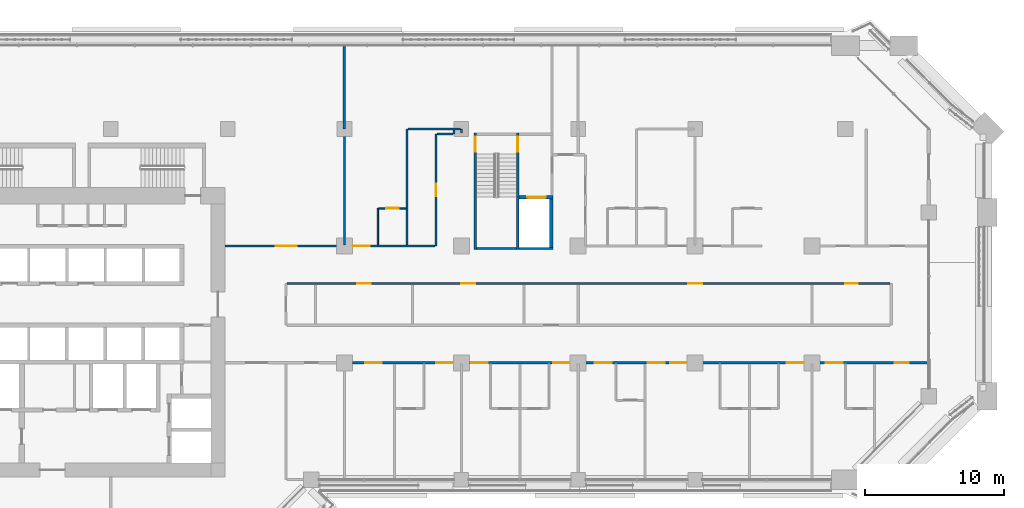
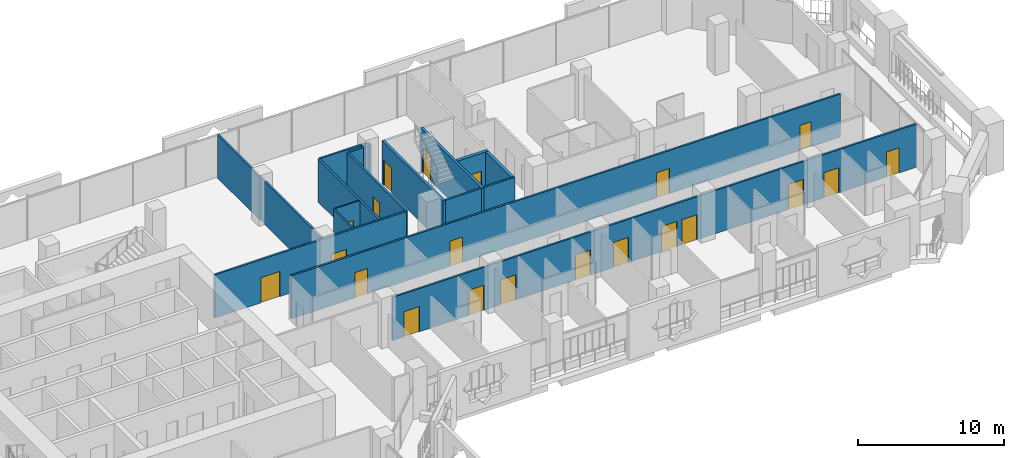
# One storey, part 17 of 27: 21 doors, 19 walls, 21 openings.
"""IFC4 building model written with IfcOpenShell, lengths in metres."""

from ifc_helpers import new_model, si_unit, direction, frame, frame_2d, origin, place, context, subcontext, project, spatial, rectangle, extrude, material, layer, layer_set, type_object, element, fill, save


model = new_model("IFC4")

# Units and contexts
model_context = context("Model", 3, precision=1e-05, world=origin(), true_north=direction((0.0, 1.0)))
body_context = subcontext(model_context, "Body", "Model", "MODEL_VIEW")
ifc_project = project(units=[si_unit("LENGTHUNIT", "METRE"), si_unit("AREAUNIT", "SQUARE_METRE"), si_unit("VOLUMEUNIT", "CUBIC_METRE"), si_unit("PLANEANGLEUNIT", "RADIAN"), si_unit("MASSUNIT", "GRAM", prefix="KILO")], contexts=[model_context])

# Site, building, storey
site_placement = place(None, origin())
site = spatial("IfcSite", under=ifc_project, at=site_placement, CompositionType="ELEMENT")
building_placement = place(site_placement, origin())
building = spatial("IfcBuilding", under=site, at=building_placement, Name="Kawkab Arch Medical Tower", CompositionType="ELEMENT")
storey_placement = place(building_placement, frame((0.0, 0.0, 115.60009765625)))
storey = spatial("IfcBuildingStorey", under=building, at=storey_placement, Name="L26", CompositionType="ELEMENT", Elevation=115.60009765625)

# Wall, opening, door
ifc_material_1 = material(Name="Concrete C60/75", Category="concrete")
ifc_layer_1 = layer(ifc_material_1, 0.25)
ifc_layer_set_1 = layer_set([ifc_layer_1], Name="Concrete C60/75")
wall_type_1 = type_object("IfcWallType", Name="Core shear wall 250 C60/75", PredefinedType="SHEAR", material=ifc_layer_set_1)
wall_1_placement = place(storey_placement, frame((46.14990234375, -4.89990234375, 0.0), z_axis=(0.0, 0.0, 1.0), x_axis=(1.0, 0.0, 0.0)))
wall_1 = element("IfcWall", 1, at=wall_1_placement, inside=storey, type_object=wall_type_1, Name="L26 core shear wall", PredefinedType="SHEAR", context=body_context, shape_type="SweptSolid", body=[
    extrude(rectangle(XDim=2.4501953125, YDim=0.25, at=frame_2d((1.22509765625, 0.0))), origin(), (0.0, 0.0, 1.0), 3.599853515625),
])
opening_1_placement = place(wall_1_placement, frame((0.60009765625, 0.0, 0.0)))
opening_1 = element("IfcOpeningElement", 2, at=opening_1_placement, cuts=wall_1, Name="Opening LD2", PredefinedType="OPENING", context=body_context, shape_type="SweptSolid", body=[
    extrude(rectangle(XDim=1.300048828125, YDim=2.10009765625, at=frame_2d((0.64990234375, 1.050048828125))), frame((0.0, 0.135009765625, 0.0), z_axis=(0.0, -1.0, 0.0), x_axis=(1.0, 0.0, 0.0)), (0.0, 0.0, 1.0), 0.27001953125),
])
ifc_material_2 = material(Name="Stainless steel lift door leaf", Category="steel")
door_type_1 = type_object("IfcDoorType", Name="Lift landing door 1300", OperationType="DOUBLE_DOOR_SLIDING", PredefinedType="DOOR", material=ifc_material_2)
door_1_placement = place(opening_1_placement, origin())
door_1 = element("IfcDoor", 3, at=door_1_placement, inside=storey, type_object=door_type_1, Name="L26 Lift landing door SV1", OperationType="DOUBLE_DOOR_SLIDING", OverallHeight=2.10009765625, OverallWidth=1.300048828125, PredefinedType="DOOR", context=body_context, shape_type="SweptSolid", body=[
    extrude(rectangle(XDim=1.300048828125, YDim=2.10009765625, at=frame_2d((0.64990234375, 1.050048828125))), frame((0.0, 0.02490234375, 0.0), z_axis=(0.0, -1.0, 0.0), x_axis=(1.0, 0.0, 0.0)), (0.0, 0.0, 1.0), 0.050048828125),
])
fill(opening_1, door_1)

# Wall
wall_2_placement = place(storey_placement, frame((48.47509765625, -8.5, 0.0), z_axis=(0.0, 0.0, 1.0), x_axis=(0.0, 1.0, 0.0)))
element("IfcWall", 4, at=wall_2_placement, inside=storey, type_object=wall_type_1, Name="L26 core shear wall", PredefinedType="SHEAR", context=body_context, shape_type="SweptSolid", body=[
    extrude(rectangle(XDim=3.47509765625, YDim=0.25, at=frame_2d((1.737548828125, 0.0))), origin(), (0.0, 0.0, 1.0), 3.599853515625),
])

# Wall, opening, door
ifc_material_3 = material(Name="Gypsum board partition on steel studs", Category="steel")
ifc_layer_2 = layer(ifc_material_3, 0.10009765625)
ifc_layer_set_2 = layer_set([ifc_layer_2], Name="Gypsum board partition on steel studs")
wall_type_2 = type_object("IfcWallType", Name="Partition 100", PredefinedType="PARTITIONING", material=ifc_layer_set_2)
wall_3_placement = place(storey_placement, frame((36.052001953125, -5.699951171875, 0.0), z_axis=(0.0, 0.0, 1.0), x_axis=(1.0, 0.0, 0.0)))
wall_3 = element("IfcWall", 5, at=wall_3_placement, inside=storey, type_object=wall_type_2, Name="Partition 100 w010", PredefinedType="PARTITIONING", context=body_context, shape_type="SweptSolid", body=[
    extrude(rectangle(XDim=1.972900390625, YDim=0.10009765625, at=frame_2d((0.986328125, 0.0))), origin(), (0.0, 0.0, 1.0), 3.599853515625),
])
opening_2_placement = place(wall_3_placement, frame((0.549072265625, 0.0, 0.0)))
opening_2 = element("IfcOpeningElement", 6, at=opening_2_placement, cuts=wall_3, Name="Opening W26-005", PredefinedType="OPENING", context=body_context, shape_type="SweptSolid", body=[
    extrude(rectangle(XDim=0.89990234375, YDim=2.10009765625, at=frame_2d((0.449951171875, 1.050048828125))), frame((0.0, 0.06005859375, 0.0), z_axis=(0.0, -1.0, 0.0), x_axis=(1.0, 0.0, 0.0)), (0.0, 0.0, 1.0), 0.1201171875),
])
ifc_material_4 = material(Name="Timber door leaf", Category="wood")
door_type_2 = type_object("IfcDoorType", Name="Single door 900x2100", OperationType="NOTDEFINED", PredefinedType="DOOR", material=ifc_material_4)
door_2_placement = place(opening_2_placement, origin())
door_2 = element("IfcDoor", 7, at=door_2_placement, inside=storey, type_object=door_type_2, Name="Door W26-005", OperationType="SINGLE_SWING_LEFT", OverallHeight=2.10009765625, OverallWidth=0.89990234375, PredefinedType="DOOR", context=body_context, shape_type="SweptSolid", body=[
    extrude(rectangle(XDim=0.89990234375, YDim=2.10009765625, at=frame_2d((0.449951171875, 1.050048828125))), frame((0.0, 0.02490234375, 0.0), z_axis=(0.0, -1.0, 0.0), x_axis=(1.0, 0.0, 0.0)), (0.0, 0.0, 1.0), 0.050048828125),
])
fill(opening_2, door_2)

# Wall
wall_4_placement = place(storey_placement, frame((36.0, -8.324951171875, 0.0), z_axis=(0.0, 0.0, 1.0), x_axis=(0.0, 1.0, 0.0)))
element("IfcWall", 8, at=wall_4_placement, inside=storey, type_object=wall_type_2, Name="Partition 100 w016", PredefinedType="PARTITIONING", context=body_context, shape_type="SweptSolid", body=[
    extrude(rectangle(XDim=2.6240234375, YDim=0.10009765625, at=frame_2d((1.31201171875, 0.0))), origin(), (0.0, 0.0, 1.0), 3.599853515625),
])

# Wall, openings, doors
ifc_material_5 = material(Name="Gypsum board partition on steel studs, mineral wool", Category="steel")
ifc_layer_3 = layer(ifc_material_5, 0.14990234375)
ifc_layer_set_3 = layer_set([ifc_layer_3], Name="Gypsum board partition on steel studs, mineral wool")
wall_type_3 = type_object("IfcWallType", Name="Partition 150", PredefinedType="PARTITIONING", material=ifc_layer_set_3)
wall_5_placement = place(storey_placement, frame((34.175048828125, -16.800048828125, 0.0), z_axis=(0.0, 0.0, 1.0), x_axis=(1.0, 0.0, 0.0)))
wall_5 = element("IfcWall", 9, at=wall_5_placement, inside=storey, type_object=wall_type_3, Name="Partition 150 w045", PredefinedType="PARTITIONING", context=body_context, shape_type="SweptSolid", body=[
    extrude(rectangle(XDim=41.344970703125, YDim=0.14990234375, at=frame_2d((20.67236328125, 0.0))), origin(), (0.0, 0.0, 1.0), 3.599853515625),
])
opening_3_placement = place(wall_5_placement, frame((0.9130859375, 0.0, 0.0)))
opening_3 = element("IfcOpeningElement", 10, at=opening_3_placement, cuts=wall_5, Name="Opening W26-043", PredefinedType="OPENING", context=body_context, shape_type="SweptSolid", body=[
    extrude(rectangle(XDim=1.199951171875, YDim=2.10009765625, at=frame_2d((0.60009765625, 1.050048828125))), frame((0.0, 0.0849609375, 0.0), z_axis=(0.0, -1.0, 0.0), x_axis=(1.0, 0.0, 0.0)), (0.0, 0.0, 1.0), 0.169921875),
])
opening_4_placement = place(wall_5_placement, frame((6.02490234375, 0.0, 0.0)))
opening_4 = element("IfcOpeningElement", 11, at=opening_4_placement, cuts=wall_5, Name="Opening W26-044", PredefinedType="OPENING", context=body_context, shape_type="SweptSolid", body=[
    extrude(rectangle(XDim=1.199951171875, YDim=2.10009765625, at=frame_2d((0.60009765625, 1.050048828125))), frame((0.0, 0.0849609375, 0.0), z_axis=(0.0, -1.0, 0.0), x_axis=(1.0, 0.0, 0.0)), (0.0, 0.0, 1.0), 0.169921875),
])
opening_5_placement = place(wall_5_placement, frame((8.52490234375, 0.0, 0.0)))
opening_5 = element("IfcOpeningElement", 12, at=opening_5_placement, cuts=wall_5, Name="Opening W26-045", PredefinedType="OPENING", context=body_context, shape_type="SweptSolid", body=[
    extrude(rectangle(XDim=1.199951171875, YDim=2.10009765625, at=frame_2d((0.60009765625, 1.050048828125))), frame((0.0, 0.0849609375, 0.0), z_axis=(0.0, -1.0, 0.0), x_axis=(1.0, 0.0, 0.0)), (0.0, 0.0, 1.0), 0.169921875),
])
opening_6_placement = place(wall_5_placement, frame((14.425048828125, 0.0, 0.0)))
opening_6 = element("IfcOpeningElement", 13, at=opening_6_placement, cuts=wall_5, Name="Opening W26-046", PredefinedType="OPENING", context=body_context, shape_type="SweptSolid", body=[
    extrude(rectangle(XDim=1.199951171875, YDim=2.10009765625, at=frame_2d((0.60009765625, 1.050048828125))), frame((0.0, 0.0849609375, 0.0), z_axis=(0.0, -1.0, 0.0), x_axis=(1.0, 0.0, 0.0)), (0.0, 0.0, 1.0), 0.169921875),
])
opening_7_placement = place(wall_5_placement, frame((17.425048828125, 0.0, 0.0)))
opening_7 = element("IfcOpeningElement", 14, at=opening_7_placement, cuts=wall_5, Name="Opening W26-047", PredefinedType="OPENING", context=body_context, shape_type="SweptSolid", body=[
    extrude(rectangle(XDim=1.199951171875, YDim=2.10009765625, at=frame_2d((0.60009765625, 1.050048828125))), frame((0.0, 0.0849609375, 0.0), z_axis=(0.0, -1.0, 0.0), x_axis=(1.0, 0.0, 0.0)), (0.0, 0.0, 1.0), 0.169921875),
])
opening_8_placement = place(wall_5_placement, frame((22.824951171875, 0.0, 0.0)))
opening_8 = element("IfcOpeningElement", 15, at=opening_8_placement, cuts=wall_5, Name="Opening W26-048", PredefinedType="OPENING", context=body_context, shape_type="SweptSolid", body=[
    extrude(rectangle(XDim=1.199951171875, YDim=2.10009765625, at=frame_2d((0.60009765625, 1.050048828125))), frame((0.0, 0.0849609375, 0.0), z_axis=(0.0, -1.0, 0.0), x_axis=(1.0, 0.0, 0.0)), (0.0, 0.0, 1.0), 0.169921875),
])
opening_9_placement = place(wall_5_placement, frame((21.22509765625, 0.0, 0.0)))
opening_9 = element("IfcOpeningElement", 16, at=opening_9_placement, cuts=wall_5, Name="Opening W26-049", PredefinedType="OPENING", context=body_context, shape_type="SweptSolid", body=[
    extrude(rectangle(XDim=1.199951171875, YDim=2.10009765625, at=frame_2d((0.60009765625, 1.050048828125))), frame((0.0, 0.0849609375, 0.0), z_axis=(0.0, -1.0, 0.0), x_axis=(1.0, 0.0, 0.0)), (0.0, 0.0, 1.0), 0.169921875),
])
opening_10_placement = place(wall_5_placement, frame((31.22509765625, 0.0, 0.0)))
opening_10 = element("IfcOpeningElement", 17, at=opening_10_placement, cuts=wall_5, Name="Opening W26-050", PredefinedType="OPENING", context=body_context, shape_type="SweptSolid", body=[
    extrude(rectangle(XDim=1.199951171875, YDim=2.10009765625, at=frame_2d((0.60009765625, 1.050048828125))), frame((0.0, 0.0849609375, 0.0), z_axis=(0.0, -1.0, 0.0), x_axis=(1.0, 0.0, 0.0)), (0.0, 0.0, 1.0), 0.169921875),
])
opening_11_placement = place(wall_5_placement, frame((34.02490234375, 0.0, 0.0)))
opening_11 = element("IfcOpeningElement", 18, at=opening_11_placement, cuts=wall_5, Name="Opening W26-051", PredefinedType="OPENING", context=body_context, shape_type="SweptSolid", body=[
    extrude(rectangle(XDim=1.199951171875, YDim=2.10009765625, at=frame_2d((0.60009765625, 1.050048828125))), frame((0.0, 0.0849609375, 0.0), z_axis=(0.0, -1.0, 0.0), x_axis=(1.0, 0.0, 0.0)), (0.0, 0.0, 1.0), 0.169921875),
])
opening_12_placement = place(wall_5_placement, frame((38.97509765625, 0.0, 0.0)))
opening_12 = element("IfcOpeningElement", 19, at=opening_12_placement, cuts=wall_5, Name="Opening W26-030", PredefinedType="OPENING", context=body_context, shape_type="SweptSolid", body=[
    extrude(rectangle(XDim=1.0, YDim=2.10009765625, at=frame_2d((0.5, 1.050048828125))), frame((0.0, 0.0849609375, 0.0), z_axis=(0.0, -1.0, 0.0), x_axis=(1.0, 0.0, 0.0)), (0.0, 0.0, 1.0), 0.169921875),
])
ifc_material_6 = material(Name="Hollow metal door leaf")
door_type_3 = type_object("IfcDoorType", Name="Single door 1000x2100 FD30S", OperationType="NOTDEFINED", PredefinedType="DOOR", material=ifc_material_6)
door_3_placement = place(opening_12_placement, origin())
door_3 = element("IfcDoor", 20, at=door_3_placement, inside=storey, type_object=door_type_3, Name="Door W26-030", OperationType="SINGLE_SWING_LEFT", OverallHeight=2.10009765625, OverallWidth=1.0, PredefinedType="DOOR", context=body_context, shape_type="SweptSolid", body=[
    extrude(rectangle(XDim=1.0, YDim=2.10009765625, at=frame_2d((0.5, 1.050048828125))), frame((0.0, 0.02490234375, 0.0), z_axis=(0.0, -1.0, 0.0), x_axis=(1.0, 0.0, 0.0)), (0.0, 0.0, 1.0), 0.050048828125),
])
fill(opening_12, door_3)
ifc_material_7 = material(Name="Hollow metal door leaf")
door_type_4 = type_object("IfcDoorType", Name="Single door 1200x2100 FD30S", OperationType="NOTDEFINED", PredefinedType="DOOR", material=ifc_material_7)
door_4_placement = place(opening_3_placement, origin())
door_4 = element("IfcDoor", 21, at=door_4_placement, inside=storey, type_object=door_type_4, Name="Door W26-043", OperationType="SINGLE_SWING_RIGHT", OverallHeight=2.10009765625, OverallWidth=1.199951171875, PredefinedType="DOOR", context=body_context, shape_type="SweptSolid", body=[
    extrude(rectangle(XDim=1.199951171875, YDim=2.10009765625, at=frame_2d((0.60009765625, 1.050048828125))), frame((0.0, 0.02490234375, 0.0), z_axis=(0.0, -1.0, 0.0), x_axis=(1.0, 0.0, 0.0)), (0.0, 0.0, 1.0), 0.050048828125),
])
fill(opening_3, door_4)
door_5_placement = place(opening_4_placement, origin())
door_5 = element("IfcDoor", 22, at=door_5_placement, inside=storey, type_object=door_type_4, Name="Door W26-044", OperationType="SINGLE_SWING_RIGHT", OverallHeight=2.10009765625, OverallWidth=1.199951171875, PredefinedType="DOOR", context=body_context, shape_type="SweptSolid", body=[
    extrude(rectangle(XDim=1.199951171875, YDim=2.10009765625, at=frame_2d((0.60009765625, 1.050048828125))), frame((0.0, 0.02490234375, 0.0), z_axis=(0.0, -1.0, 0.0), x_axis=(1.0, 0.0, 0.0)), (0.0, 0.0, 1.0), 0.050048828125),
])
fill(opening_4, door_5)
door_6_placement = place(opening_5_placement, origin())
door_6 = element("IfcDoor", 23, at=door_6_placement, inside=storey, type_object=door_type_4, Name="Door W26-045", OperationType="SINGLE_SWING_RIGHT", OverallHeight=2.10009765625, OverallWidth=1.199951171875, PredefinedType="DOOR", context=body_context, shape_type="SweptSolid", body=[
    extrude(rectangle(XDim=1.199951171875, YDim=2.10009765625, at=frame_2d((0.60009765625, 1.050048828125))), frame((0.0, 0.02490234375, 0.0), z_axis=(0.0, -1.0, 0.0), x_axis=(1.0, 0.0, 0.0)), (0.0, 0.0, 1.0), 0.050048828125),
])
fill(opening_5, door_6)
door_7_placement = place(opening_6_placement, origin())
door_7 = element("IfcDoor", 24, at=door_7_placement, inside=storey, type_object=door_type_4, Name="Door W26-046", OperationType="SINGLE_SWING_RIGHT", OverallHeight=2.10009765625, OverallWidth=1.199951171875, PredefinedType="DOOR", context=body_context, shape_type="SweptSolid", body=[
    extrude(rectangle(XDim=1.199951171875, YDim=2.10009765625, at=frame_2d((0.60009765625, 1.050048828125))), frame((0.0, 0.02490234375, 0.0), z_axis=(0.0, -1.0, 0.0), x_axis=(1.0, 0.0, 0.0)), (0.0, 0.0, 1.0), 0.050048828125),
])
fill(opening_6, door_7)
door_8_placement = place(opening_7_placement, origin())
door_8 = element("IfcDoor", 25, at=door_8_placement, inside=storey, type_object=door_type_4, Name="Door W26-047", OperationType="SINGLE_SWING_RIGHT", OverallHeight=2.10009765625, OverallWidth=1.199951171875, PredefinedType="DOOR", context=body_context, shape_type="SweptSolid", body=[
    extrude(rectangle(XDim=1.199951171875, YDim=2.10009765625, at=frame_2d((0.60009765625, 1.050048828125))), frame((0.0, 0.02490234375, 0.0), z_axis=(0.0, -1.0, 0.0), x_axis=(1.0, 0.0, 0.0)), (0.0, 0.0, 1.0), 0.050048828125),
])
fill(opening_7, door_8)
door_9_placement = place(opening_8_placement, origin())
door_9 = element("IfcDoor", 26, at=door_9_placement, inside=storey, type_object=door_type_4, Name="Door W26-048", OperationType="SINGLE_SWING_LEFT", OverallHeight=2.10009765625, OverallWidth=1.199951171875, PredefinedType="DOOR", context=body_context, shape_type="SweptSolid", body=[
    extrude(rectangle(XDim=1.199951171875, YDim=2.10009765625, at=frame_2d((0.60009765625, 1.050048828125))), frame((0.0, 0.02490234375, 0.0), z_axis=(0.0, -1.0, 0.0), x_axis=(1.0, 0.0, 0.0)), (0.0, 0.0, 1.0), 0.050048828125),
])
fill(opening_8, door_9)
door_10_placement = place(opening_9_placement, origin())
door_10 = element("IfcDoor", 27, at=door_10_placement, inside=storey, type_object=door_type_4, Name="Door W26-049", OperationType="SINGLE_SWING_LEFT", OverallHeight=2.10009765625, OverallWidth=1.199951171875, PredefinedType="DOOR", context=body_context, shape_type="SweptSolid", body=[
    extrude(rectangle(XDim=1.199951171875, YDim=2.10009765625, at=frame_2d((0.60009765625, 1.050048828125))), frame((0.0, 0.02490234375, 0.0), z_axis=(0.0, -1.0, 0.0), x_axis=(1.0, 0.0, 0.0)), (0.0, 0.0, 1.0), 0.050048828125),
])
fill(opening_9, door_10)
door_11_placement = place(opening_10_placement, origin())
door_11 = element("IfcDoor", 28, at=door_11_placement, inside=storey, type_object=door_type_4, Name="Door W26-050", OperationType="SINGLE_SWING_LEFT", OverallHeight=2.10009765625, OverallWidth=1.199951171875, PredefinedType="DOOR", context=body_context, shape_type="SweptSolid", body=[
    extrude(rectangle(XDim=1.199951171875, YDim=2.10009765625, at=frame_2d((0.60009765625, 1.050048828125))), frame((0.0, 0.02490234375, 0.0), z_axis=(0.0, -1.0, 0.0), x_axis=(1.0, 0.0, 0.0)), (0.0, 0.0, 1.0), 0.050048828125),
])
fill(opening_10, door_11)
door_12_placement = place(opening_11_placement, origin())
door_12 = element("IfcDoor", 29, at=door_12_placement, inside=storey, type_object=door_type_4, Name="Door W26-051", OperationType="SINGLE_SWING_LEFT", OverallHeight=2.10009765625, OverallWidth=1.199951171875, PredefinedType="DOOR", context=body_context, shape_type="SweptSolid", body=[
    extrude(rectangle(XDim=1.199951171875, YDim=2.10009765625, at=frame_2d((0.60009765625, 1.050048828125))), frame((0.0, 0.02490234375, 0.0), z_axis=(0.0, -1.0, 0.0), x_axis=(1.0, 0.0, 0.0)), (0.0, 0.0, 1.0), 0.050048828125),
])
fill(opening_11, door_12)

wall_6_placement = place(storey_placement, frame((29.47509765625, -11.10009765625, 0.0), z_axis=(0.0, 0.0, 1.0), x_axis=(1.0, 0.0, 0.0)))
wall_6 = element("IfcWall", 30, at=wall_6_placement, inside=storey, type_object=wall_type_3, Name="Partition 150 w047", PredefinedType="PARTITIONING", context=body_context, shape_type="SweptSolid", body=[
    extrude(rectangle(XDim=43.349853515625, YDim=0.14990234375, at=frame_2d((21.6748046875, 0.0))), origin(), (0.0, 0.0, 1.0), 3.599853515625),
])
opening_13_placement = place(wall_6_placement, frame((28.824951171875, 0.0, 0.0)))
opening_13 = element("IfcOpeningElement", 31, at=opening_13_placement, cuts=wall_6, Name="Opening W26-029", PredefinedType="OPENING", context=body_context, shape_type="SweptSolid", body=[
    extrude(rectangle(XDim=1.0, YDim=2.10009765625, at=frame_2d((0.5, 1.050048828125))), frame((0.0, 0.0849609375, 0.0), z_axis=(0.0, -1.0, 0.0), x_axis=(1.0, 0.0, 0.0)), (0.0, 0.0, 1.0), 0.169921875),
])
opening_14_placement = place(wall_6_placement, frame((40.125, 0.0, 0.0)))
opening_14 = element("IfcOpeningElement", 32, at=opening_14_placement, cuts=wall_6, Name="Opening W26-011", PredefinedType="OPENING", context=body_context, shape_type="SweptSolid", body=[
    extrude(rectangle(XDim=0.89990234375, YDim=2.10009765625, at=frame_2d((0.449951171875, 1.050048828125))), frame((0.0, 0.0849609375, 0.0), z_axis=(0.0, -1.0, 0.0), x_axis=(1.0, 0.0, 0.0)), (0.0, 0.0, 1.0), 0.169921875),
])
opening_15_placement = place(wall_6_placement, frame((5.02490234375, 0.0, 0.0)))
opening_15 = element("IfcOpeningElement", 33, at=opening_15_placement, cuts=wall_6, Name="Opening W26-036", PredefinedType="OPENING", context=body_context, shape_type="SweptSolid", body=[
    extrude(rectangle(XDim=1.0, YDim=2.10009765625, at=frame_2d((0.5, 1.050048828125))), frame((0.0, 0.0849609375, 0.0), z_axis=(0.0, -1.0, 0.0), x_axis=(1.0, 0.0, 0.0)), (0.0, 0.0, 1.0), 0.169921875),
])
opening_16_placement = place(wall_6_placement, frame((12.52490234375, 0.0, 0.0)))
opening_16 = element("IfcOpeningElement", 34, at=opening_16_placement, cuts=wall_6, Name="Opening W26-037", PredefinedType="OPENING", context=body_context, shape_type="SweptSolid", body=[
    extrude(rectangle(XDim=1.0, YDim=2.10009765625, at=frame_2d((0.5, 1.050048828125))), frame((0.0, 0.0849609375, 0.0), z_axis=(0.0, -1.0, 0.0), x_axis=(1.0, 0.0, 0.0)), (0.0, 0.0, 1.0), 0.169921875),
])
door_13_placement = place(opening_13_placement, origin())
door_13 = element("IfcDoor", 35, at=door_13_placement, inside=storey, type_object=door_type_3, Name="Door W26-029", OperationType="SINGLE_SWING_LEFT", OverallHeight=2.10009765625, OverallWidth=1.0, PredefinedType="DOOR", context=body_context, shape_type="SweptSolid", body=[
    extrude(rectangle(XDim=1.0, YDim=2.10009765625, at=frame_2d((0.5, 1.050048828125))), frame((0.0, 0.02490234375, 0.0), z_axis=(0.0, -1.0, 0.0), x_axis=(1.0, 0.0, 0.0)), (0.0, 0.0, 1.0), 0.050048828125),
])
fill(opening_13, door_13)
door_14_placement = place(opening_15_placement, origin())
door_14 = element("IfcDoor", 36, at=door_14_placement, inside=storey, type_object=door_type_3, Name="Door W26-036", OperationType="SINGLE_SWING_RIGHT", OverallHeight=2.10009765625, OverallWidth=1.0, PredefinedType="DOOR", context=body_context, shape_type="SweptSolid", body=[
    extrude(rectangle(XDim=1.0, YDim=2.10009765625, at=frame_2d((0.5, 1.050048828125))), frame((0.0, 0.02490234375, 0.0), z_axis=(0.0, -1.0, 0.0), x_axis=(1.0, 0.0, 0.0)), (0.0, 0.0, 1.0), 0.050048828125),
])
fill(opening_15, door_14)
door_15_placement = place(opening_16_placement, origin())
door_15 = element("IfcDoor", 37, at=door_15_placement, inside=storey, type_object=door_type_3, Name="Door W26-037", OperationType="SINGLE_SWING_RIGHT", OverallHeight=2.10009765625, OverallWidth=1.0, PredefinedType="DOOR", context=body_context, shape_type="SweptSolid", body=[
    extrude(rectangle(XDim=1.0, YDim=2.10009765625, at=frame_2d((0.5, 1.050048828125))), frame((0.0, 0.02490234375, 0.0), z_axis=(0.0, -1.0, 0.0), x_axis=(1.0, 0.0, 0.0)), (0.0, 0.0, 1.0), 0.050048828125),
])
fill(opening_16, door_15)
door_16_placement = place(opening_14_placement, origin())
door_16 = element("IfcDoor", 38, at=door_16_placement, inside=storey, type_object=door_type_2, Name="Door W26-011", OperationType="SINGLE_SWING_LEFT", OverallHeight=2.10009765625, OverallWidth=0.89990234375, PredefinedType="DOOR", context=body_context, shape_type="SweptSolid", body=[
    extrude(rectangle(XDim=0.89990234375, YDim=2.10009765625, at=frame_2d((0.449951171875, 1.050048828125))), frame((0.0, 0.02490234375, 0.0), z_axis=(0.0, -1.0, 0.0), x_axis=(1.0, 0.0, 0.0)), (0.0, 0.0, 1.0), 0.050048828125),
])
fill(opening_14, door_16)

wall_7_placement = place(storey_placement, frame((25.0, -8.39990234375, 0.0), z_axis=(0.0, 0.0, 1.0), x_axis=(1.0, 0.0, 0.0)))
wall_7 = element("IfcWall", 39, at=wall_7_placement, inside=storey, type_object=wall_type_3, Name="Partition 150 w048", PredefinedType="PARTITIONING", context=body_context, shape_type="SweptSolid", body=[
    extrude(rectangle(XDim=15.10693359375, YDim=0.14990234375, at=frame_2d((7.553466796875, 0.0))), origin(), (0.0, 0.0, 1.0), 3.599853515625),
])
opening_17_placement = place(wall_7_placement, frame((3.64990234375, 0.0, 0.0)))
opening_17 = element("IfcOpeningElement", 40, at=opening_17_placement, cuts=wall_7, Name="Opening W26-002", PredefinedType="OPENING", context=body_context, shape_type="SweptSolid", body=[
    extrude(rectangle(XDim=1.5, YDim=2.10009765625, at=frame_2d((0.75, 1.050048828125))), frame((0.0, 0.0849609375, 0.0), z_axis=(0.0, -1.0, 0.0), x_axis=(1.0, 0.0, 0.0)), (0.0, 0.0, 1.0), 0.169921875),
])
opening_18_placement = place(wall_7_placement, frame((9.199951171875, 0.0, 0.0)))
opening_18 = element("IfcOpeningElement", 41, at=opening_18_placement, cuts=wall_7, Name="Opening W26-038", PredefinedType="OPENING", context=body_context, shape_type="SweptSolid", body=[
    extrude(rectangle(XDim=1.199951171875, YDim=2.10009765625, at=frame_2d((0.60009765625, 1.050048828125))), frame((0.0, 0.0849609375, 0.0), z_axis=(0.0, -1.0, 0.0), x_axis=(1.0, 0.0, 0.0)), (0.0, 0.0, 1.0), 0.169921875),
])
ifc_material_8 = material(Name="Hollow metal door leaf")
door_type_5 = type_object("IfcDoorType", Name="Double door 1500x2100 FD30S", OperationType="NOTDEFINED", PredefinedType="DOOR", material=ifc_material_8)
door_17_placement = place(opening_17_placement, origin())
door_17 = element("IfcDoor", 42, at=door_17_placement, inside=storey, type_object=door_type_5, Name="Door W26-002", OperationType="DOUBLE_DOOR_SINGLE_SWING", OverallHeight=2.10009765625, OverallWidth=1.5, PredefinedType="DOOR", context=body_context, shape_type="SweptSolid", body=[
    extrude(rectangle(XDim=1.5, YDim=2.10009765625, at=frame_2d((0.75, 1.050048828125))), frame((0.0, 0.02490234375, 0.0), z_axis=(0.0, -1.0, 0.0), x_axis=(1.0, 0.0, 0.0)), (0.0, 0.0, 1.0), 0.050048828125),
])
fill(opening_17, door_17)
door_18_placement = place(opening_18_placement, origin())
door_18 = element("IfcDoor", 43, at=door_18_placement, inside=storey, type_object=door_type_4, Name="Door W26-038", OperationType="SINGLE_SWING_RIGHT", OverallHeight=2.10009765625, OverallWidth=1.199951171875, PredefinedType="DOOR", context=body_context, shape_type="SweptSolid", body=[
    extrude(rectangle(XDim=1.199951171875, YDim=2.10009765625, at=frame_2d((0.60009765625, 1.050048828125))), frame((0.0, 0.02490234375, 0.0), z_axis=(0.0, -1.0, 0.0), x_axis=(1.0, 0.0, 0.0)), (0.0, 0.0, 1.0), 0.050048828125),
])
fill(opening_18, door_18)

# Walls
wall_8_placement = place(storey_placement, frame((40.257080078125, -0.35009765625, 0.0), z_axis=(0.0, 0.0, 1.0), x_axis=(1.0, 0.0, 0.0)))
element("IfcWall", 44, at=wall_8_placement, inside=storey, type_object=wall_type_3, Name="Partition 150 w053", PredefinedType="PARTITIONING", context=body_context, shape_type="SweptSolid", body=[
    extrude(rectangle(XDim=1.140869140625, YDim=0.14990234375, at=frame_2d((0.5703125, 0.0))), origin(), (0.0, 0.0, 1.0), 3.599853515625),
])
wall_9_placement = place(storey_placement, frame((38.177978515625, 0.0, 0.0), z_axis=(0.0, 0.0, 1.0), x_axis=(1.0, 0.0, 0.0)))
element("IfcWall", 45, at=wall_9_placement, inside=storey, type_object=wall_type_3, Name="Partition 150 w054", PredefinedType="PARTITIONING", context=body_context, shape_type="SweptSolid", body=[
    extrude(rectangle(XDim=3.744140625, YDim=0.14990234375, at=frame_2d((1.8720703125, 0.0))), origin(), (0.0, 0.0, 1.0), 3.599853515625),
])
wall_10_placement = place(storey_placement, frame((33.580078125, 0.02001953125, 0.0), z_axis=(0.0, 0.0, 1.0), x_axis=(0.0, 1.0, 0.0)))
element("IfcWall", 46, at=wall_10_placement, inside=storey, type_object=wall_type_3, Name="Partition 150 w067", PredefinedType="PARTITIONING", context=body_context, shape_type="SweptSolid", body=[
    extrude(rectangle(XDim=5.89990234375, YDim=0.14990234375, at=frame_2d((2.949951171875, 0.0))), origin(), (0.0, 0.0, 1.0), 3.599853515625),
])
for number, where, z_axis, x_axis, name in (
    (47, (33.60009765625, -8.324951171875, 0.0), (0.0, 0.0, 1.0), (0.0, 1.0, 0.0), "Partition 150 w069"),
    (48, (38.10009765625, -8.324951171875, 0.0), (0.0, 0.0, 1.0), (0.0, 1.0, 0.0), "Partition 150 w071"),
):
    element("IfcWall", number, at=place(storey_placement, frame(where, z_axis=z_axis, x_axis=x_axis)), inside=storey, type_object=wall_type_3, Name=name, PredefinedType="PARTITIONING", context=body_context, shape_type="SweptSolid", body=[
        extrude(rectangle(XDim=8.322021484375, YDim=0.14990234375, at=frame_2d((4.1611328125, 0.0))), origin(), (0.0, 0.0, 1.0), 3.599853515625),
    ])

# Wall, opening, door
wall_11_placement = place(storey_placement, frame((40.181884765625, -8.39990234375, 0.0), z_axis=(0.0, 0.0, 1.0), x_axis=(0.0, 1.0, 0.0)))
wall_11 = element("IfcWall", 49, at=wall_11_placement, inside=storey, type_object=wall_type_3, Name="Partition 150 w073", PredefinedType="PARTITIONING", context=body_context, shape_type="SweptSolid", body=[
    extrude(rectangle(XDim=8.0498046875, YDim=0.14990234375, at=frame_2d((4.02490234375, 0.0))), origin(), (0.0, 0.0, 1.0), 3.599853515625),
])
opening_19_placement = place(wall_11_placement, frame((3.574951171875, 0.0, 0.0)))
opening_19 = element("IfcOpeningElement", 50, at=opening_19_placement, cuts=wall_11, Name="Opening W26-006", PredefinedType="OPENING", context=body_context, shape_type="SweptSolid", body=[
    extrude(rectangle(XDim=0.89990234375, YDim=2.10009765625, at=frame_2d((0.449951171875, 1.050048828125))), frame((0.0, 0.0849609375, 0.0), z_axis=(0.0, -1.0, 0.0), x_axis=(1.0, 0.0, 0.0)), (0.0, 0.0, 1.0), 0.169921875),
])
door_19_placement = place(opening_19_placement, origin())
door_19 = element("IfcDoor", 51, at=door_19_placement, inside=storey, type_object=door_type_2, Name="Door W26-006", OperationType="SINGLE_SWING_RIGHT", OverallHeight=2.10009765625, OverallWidth=0.89990234375, PredefinedType="DOOR", context=body_context, shape_type="SweptSolid", body=[
    extrude(rectangle(XDim=0.89990234375, YDim=2.10009765625, at=frame_2d((0.449951171875, 1.050048828125))), frame((0.0, 0.02490234375, 0.0), z_axis=(0.0, -1.0, 0.0), x_axis=(1.0, 0.0, 0.0)), (0.0, 0.0, 1.0), 0.050048828125),
])
fill(opening_19, door_19)

# Walls
wall_12_placement = place(storey_placement, frame((41.47509765625, -0.347900390625, 0.0), z_axis=(0.0, 0.0, 1.0), x_axis=(0.0, 1.0, 0.0)))
element("IfcWall", 52, at=wall_12_placement, inside=storey, type_object=wall_type_3, Name="Partition 150 w074", PredefinedType="PARTITIONING", context=body_context, shape_type="SweptSolid", body=[
    extrude(rectangle(XDim=0.27294921875, YDim=0.14990234375, at=frame_2d((0.136474609375, 0.0))), origin(), (0.0, 0.0, 1.0), 3.599853515625),
])
wall_13_placement = place(storey_placement, frame((42.0, -0.300048828125, 0.0), z_axis=(0.0, 0.0, 1.0), x_axis=(0.0, 1.0, 0.0)))
element("IfcWall", 53, at=wall_13_placement, inside=storey, type_object=wall_type_3, Name="Partition 150 w076", PredefinedType="PARTITIONING", context=body_context, shape_type="SweptSolid", body=[
    extrude(rectangle(XDim=0.297119140625, YDim=0.14990234375, at=frame_2d((0.1484375, 0.0))), origin(), (0.0, 0.0, 1.0), 3.599853515625),
])
ifc_material_9 = material(Name="Concrete C50/60", Category="concrete")
ifc_layer_4 = layer(ifc_material_9, 0.14990234375)
ifc_layer_set_4 = layer_set([ifc_layer_4], Name="Concrete C50/60")
wall_type_4 = type_object("IfcWallType", Name="Stair enclosure wall 150 C50/60", PredefinedType="SHEAR", material=ifc_layer_set_4)
wall_14_placement = place(storey_placement, frame((43.10009765625, -8.574951171875, 0.0), z_axis=(0.0, 0.0, 1.0), x_axis=(1.0, 0.0, 0.0)))
element("IfcWall", 54, at=wall_14_placement, inside=storey, type_object=wall_type_4, Name="L26 stair enclosure wall", PredefinedType="SHEAR", context=body_context, shape_type="SweptSolid", body=[
    extrude(rectangle(XDim=2.849853515625, YDim=0.14990234375, at=frame_2d((1.4248046875, 0.0))), origin(), (0.0, 0.0, 1.0), 3.599853515625),
])
wall_15_placement = place(storey_placement, frame((46.14990234375, -8.574951171875, 0.0), z_axis=(0.0, 0.0, 1.0), x_axis=(1.0, 0.0, 0.0)))
element("IfcWall", 55, at=wall_15_placement, inside=storey, type_object=wall_type_4, Name="L26 stair enclosure wall", PredefinedType="SHEAR", context=body_context, shape_type="SweptSolid", body=[
    extrude(rectangle(XDim=2.4501953125, YDim=0.14990234375, at=frame_2d((1.22509765625, 0.0))), origin(), (0.0, 0.0, 1.0), 3.599853515625),
])

# Wall, opening, door
ifc_material_10 = material(Name="Concrete C50/60", Category="concrete")
ifc_layer_5 = layer(ifc_material_10, 0.199951171875)
ifc_layer_set_5 = layer_set([ifc_layer_5], Name="Concrete C50/60")
wall_type_5 = type_object("IfcWallType", Name="Stair enclosure wall 200 C50/60", PredefinedType="SHEAR", material=ifc_layer_set_5)
wall_16_placement = place(storey_placement, frame((43.0, -8.64990234375, 0.0), z_axis=(0.0, 0.0, 1.0), x_axis=(0.0, 1.0, 0.0)))
wall_16 = element("IfcWall", 56, at=wall_16_placement, inside=storey, type_object=wall_type_5, Name="L26 stair enclosure wall", PredefinedType="SHEAR", context=body_context, shape_type="SweptSolid", body=[
    extrude(rectangle(XDim=8.349853515625, YDim=0.199951171875, at=frame_2d((4.1748046875, 0.0))), origin(), (0.0, 0.0, 1.0), 3.599853515625),
])
opening_20_placement = place(wall_16_placement, frame((7.0, 0.0, 0.0)))
opening_20 = element("IfcOpeningElement", 57, at=opening_20_placement, cuts=wall_16, Name="Opening SD", PredefinedType="OPENING", context=body_context, shape_type="SweptSolid", body=[
    extrude(rectangle(XDim=1.10009765625, YDim=2.10009765625, at=frame_2d((0.550048828125, 1.050048828125))), frame((0.0, 0.10986328125, 0.0), z_axis=(0.0, -1.0, 0.0), x_axis=(1.0, 0.0, 0.0)), (0.0, 0.0, 1.0), 0.219970703125),
])
ifc_material_11 = material(Name="Hollow metal fire door leaf")
door_type_6 = type_object("IfcDoorType", Name="Exit stair door 1100", OperationType="SINGLE_SWING_LEFT", PredefinedType="DOOR", material=ifc_material_11)
door_20_placement = place(opening_20_placement, frame((1.10009765625, 0.0, 0.0), z_axis=(0.0, 0.0, 1.0), x_axis=(-1.0, 0.0, 0.0)))
door_20 = element("IfcDoor", 58, at=door_20_placement, inside=storey, type_object=door_type_6, Name="L26 Exit stair ST5 door", OperationType="SINGLE_SWING_LEFT", OverallHeight=2.10009765625, OverallWidth=1.10009765625, PredefinedType="DOOR", context=body_context, shape_type="SweptSolid", body=[
    extrude(rectangle(XDim=1.10009765625, YDim=2.10009765625, at=frame_2d((0.550048828125, 1.050048828125))), frame((0.0, 0.02490234375, 0.0), z_axis=(0.0, -1.0, 0.0), x_axis=(1.0, 0.0, 0.0)), (0.0, 0.0, 1.0), 0.050048828125),
])
fill(opening_20, door_20)

wall_17_placement = place(storey_placement, frame((46.050048828125, -8.64990234375, 0.0), z_axis=(0.0, 0.0, 1.0), x_axis=(0.0, 1.0, 0.0)))
wall_17 = element("IfcWall", 59, at=wall_17_placement, inside=storey, type_object=wall_type_5, Name="L26 stair enclosure wall", PredefinedType="SHEAR", context=body_context, shape_type="SweptSolid", body=[
    extrude(rectangle(XDim=8.349853515625, YDim=0.199951171875, at=frame_2d((4.1748046875, 0.0))), origin(), (0.0, 0.0, 1.0), 3.599853515625),
])
opening_21_placement = place(wall_17_placement, frame((7.0, 0.0, 0.0)))
opening_21 = element("IfcOpeningElement", 60, at=opening_21_placement, cuts=wall_17, Name="Opening SD", PredefinedType="OPENING", context=body_context, shape_type="SweptSolid", body=[
    extrude(rectangle(XDim=1.10009765625, YDim=2.10009765625, at=frame_2d((0.550048828125, 1.050048828125))), frame((0.0, 0.10986328125, 0.0), z_axis=(0.0, -1.0, 0.0), x_axis=(1.0, 0.0, 0.0)), (0.0, 0.0, 1.0), 0.219970703125),
])
door_21_placement = place(opening_21_placement, origin())
door_21 = element("IfcDoor", 61, at=door_21_placement, inside=storey, type_object=door_type_6, Name="L26 Exit stair ST5 lobby door", OperationType="SINGLE_SWING_LEFT", OverallHeight=2.10009765625, OverallWidth=1.10009765625, PredefinedType="DOOR", context=body_context, shape_type="SweptSolid", body=[
    extrude(rectangle(XDim=1.10009765625, YDim=2.10009765625, at=frame_2d((0.550048828125, 1.050048828125))), frame((0.0, 0.02490234375, 0.0), z_axis=(0.0, -1.0, 0.0), x_axis=(1.0, 0.0, 0.0)), (0.0, 0.0, 1.0), 0.050048828125),
])
fill(opening_21, door_21)

save(model, "model.ifc")
